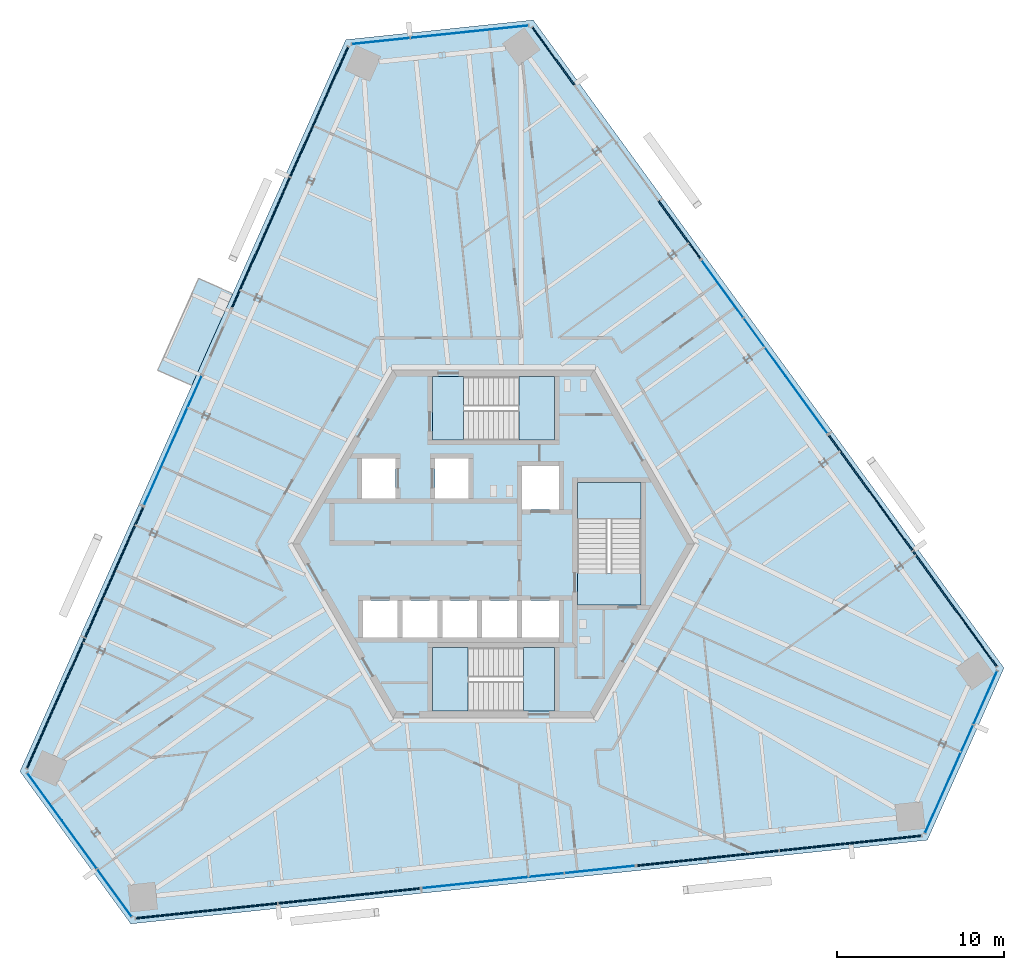
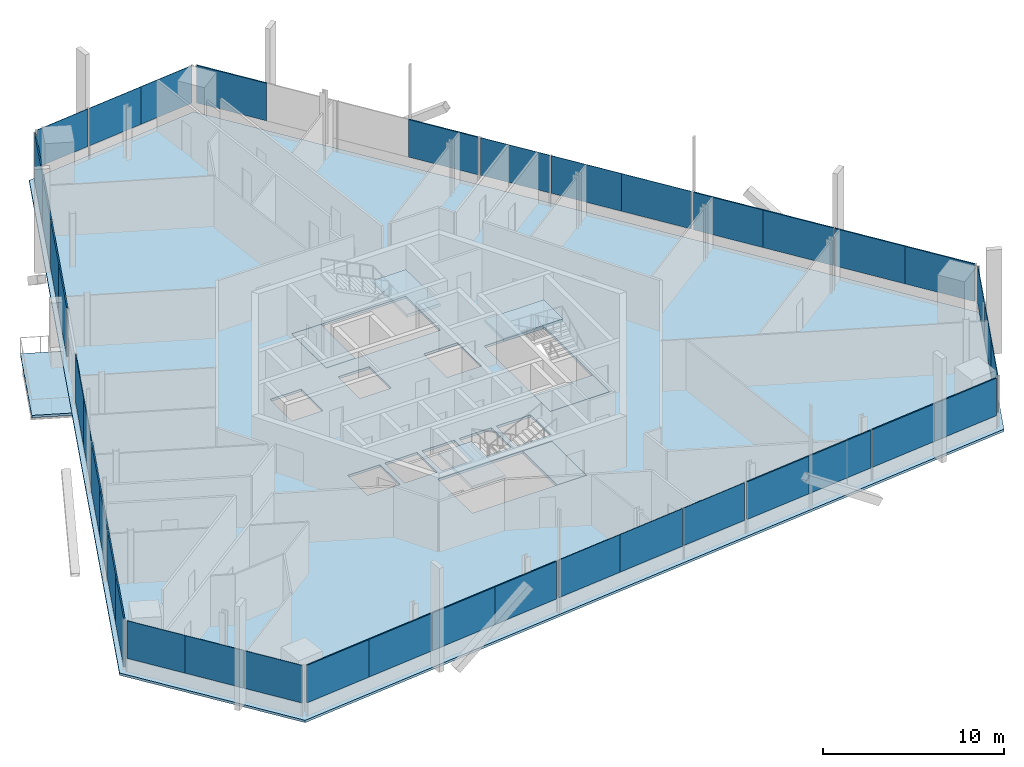
# One storey, part 9 of 20: 39 plates, 8 slabs, 15 elements without a shape of their own.
"""IFC4 building model written with IfcOpenShell, lengths in metres."""

from ifc_helpers import new_model, si_unit, direction, frame, origin, origin_2d, place, context, subcontext, project, spatial, polyline, rectangle, outline, extrude, source, transform, mapped, material, layer, layer_set, type_object, element, aggregate, save


model = new_model("IFC4")

# Units and contexts
model_context = context("Model", 3, precision=1e-05, world=origin(), true_north=direction((0.0, 1.0)))
body_context = subcontext(model_context, "Body", "Model", "MODEL_VIEW")
ifc_project = project(units=[si_unit("LENGTHUNIT", "METRE"), si_unit("AREAUNIT", "SQUARE_METRE"), si_unit("VOLUMEUNIT", "CUBIC_METRE"), si_unit("PLANEANGLEUNIT", "RADIAN"), si_unit("MASSUNIT", "GRAM", prefix="KILO")], contexts=[model_context])

# Site, building, storey
site_placement = place(None, origin())
site = spatial("IfcSite", under=ifc_project, at=site_placement, CompositionType="ELEMENT")
building_placement = place(site_placement, origin())
building = spatial("IfcBuilding", under=site, at=building_placement, Name="Triune Harvest Tower", CompositionType="ELEMENT")
storey_placement = place(building_placement, frame((0.0, 0.0, 226.89990234375)))
storey = spatial("IfcBuildingStorey", under=building, at=storey_placement, Name="L59", CompositionType="ELEMENT", Elevation=226.89990234375)

# Slabs
ifc_material_1 = material(Name="Concrete 40 MPa", Category="concrete")
ifc_layer_1 = layer(ifc_material_1, 0.159912109375)
ifc_layer_set_1 = layer_set([ifc_layer_1], Name="Concrete 40 MPa")
slab_type_1 = type_object("IfcSlabType", Name="BA-1 balcony slab 160", PredefinedType="FLOOR", material=ifc_layer_set_1)
slab_1_placement = place(storey_placement, frame((0.0, 0.0, -0.159912109375)))
element("IfcSlab", 1, at=slab_1_placement, inside=storey, type_object=slab_type_1, Name="Balcony slab B6-F3 L59.5", PredefinedType="FLOOR", context=body_context, shape_type="SweptSolid", body=[
    extrude(outline(polyline([(-15.572265625, 14.94189453125), (-18.0126953125, 9.460693359375), (-20.05419921875, 10.36962890625), (-17.613525390625, 15.850830078125), (-15.572265625, 14.94189453125)])), origin(), (0.0, 0.0, 1.0), 0.159912109375),
])
ifc_material_2 = material(Name="Concrete 40 MPa", Category="concrete")
ifc_layer_2 = layer(ifc_material_2, 0.159912109375)
ifc_layer_set_2 = layer_set([ifc_layer_2], Name="Concrete 40 MPa")
slab_type_2 = type_object("IfcSlabType", Name="SL-1 Composite floor slab 160", PredefinedType="FLOOR", material=ifc_layer_set_2)
shared_shape_1 = source(origin(), body_context, "Body", "SweptSolid", [
    extrude(outline(polyline([(30.481689453125, -7.412109375), (2.3701171875, 31.280517578125), (-8.82177734375, 30.10400390625), (-28.274658203125, -13.587646484375), (-21.659912109375, -22.69189453125), (25.904541015625, -17.692626953125), (30.481689453125, -7.412109375)]), holes=[polyline([(-5.72509765625, -5.590087890625), (-5.72509765625, -3.389892578125), (-7.800048828125, -3.389892578125), (-7.800048828125, -5.590087890625), (-5.72509765625, -5.590087890625)]), polyline([(-3.35009765625, -5.590087890625), (-3.35009765625, -3.389892578125), (-5.425048828125, -3.389892578125), (-5.425048828125, -5.590087890625), (-3.35009765625, -5.590087890625)]), polyline([(-0.97509765625, -5.590087890625), (-0.97509765625, -3.389892578125), (-3.050048828125, -3.389892578125), (-3.050048828125, -5.590087890625), (-0.97509765625, -5.590087890625)]), polyline([(1.39990234375, -5.590087890625), (1.39990234375, -3.389892578125), (-0.675048828125, -3.389892578125), (-0.675048828125, -5.590087890625), (1.39990234375, -5.590087890625)]), polyline([(3.89990234375, 2.06005859375), (3.89990234375, 4.659912109375), (1.699951171875, 4.659912109375), (1.699951171875, 2.06005859375), (3.89990234375, 2.06005859375)]), polyline([(3.89990234375, -5.590087890625), (3.89990234375, -3.389892578125), (1.699951171875, -3.389892578125), (1.699951171875, -5.590087890625), (3.89990234375, -5.590087890625)]), polyline([(-5.85009765625, 2.7099609375), (-5.85009765625, 5.110107421875), (-7.85009765625, 5.110107421875), (-7.85009765625, 2.7099609375), (-5.85009765625, 2.7099609375)]), polyline([(-1.5, 2.7099609375), (-1.5, 5.110107421875), (-3.5, 5.110107421875), (-3.5, 2.7099609375), (-1.5, 2.7099609375)]), polyline([(3.64990234375, 6.18994140625), (3.64990234375, 9.989990234375), (-3.64990234375, 9.989990234375), (-3.64990234375, 6.18994140625), (3.64990234375, 6.18994140625)]), polyline([(3.64990234375, -9.989990234375), (3.64990234375, -6.18994140625), (-3.64990234375, -6.18994140625), (-3.64990234375, -9.989990234375), (3.64990234375, -9.989990234375)]), polyline([(8.800048828125, -3.64990234375), (8.800048828125, 3.64990234375), (5.0, 3.64990234375), (5.0, -3.64990234375), (8.800048828125, -3.64990234375)])]), origin(), (0.0, 0.0, 1.0), 0.159912109375),
])
slab_2_placement = place(storey_placement, frame((0.0, 0.0, -0.159912109375)))
element("IfcSlab", 2, at=slab_2_placement, inside=storey, type_object=slab_type_2, Name="slab/L59/1", PredefinedType="FLOOR", context=body_context, shape_type="MappedRepresentation", body=[
    mapped(shared_shape_1, transform((0.0, 0.0, 0.0), scale=1.0)),
])

# Stair, slabs
ifc_material_3 = material(Name="Concrete 40 MPa", Category="concrete")
stair_type = type_object("IfcStairType", Name="Exit stair 1800 half turn", PredefinedType="HALF_TURN_STAIR", material=ifc_material_3)
stair_1_placement = place(storey_placement, origin())
stair_1 = element("IfcStair", 3, at=stair_1_placement, inside=storey, type_object=stair_type, Name="Exit stair north", PredefinedType="HALF_TURN_STAIR")
ifc_material_4 = material(Name="Concrete 40 MPa", Category="concrete")
ifc_layer_3 = layer(ifc_material_4, 0.199951171875)
ifc_layer_set_3 = layer_set([ifc_layer_3], Name="Concrete 40 MPa")
slab_type_3 = type_object("IfcSlabType", Name="Stair landing 200", PredefinedType="LANDING", material=ifc_layer_set_3)
shared_shape_2 = source(origin(), body_context, "Body", "SweptSolid", [
    extrude(outline(polyline([(1.510009765625, 6.18994140625), (3.64990234375, 6.18994140625), (3.64990234375, 9.989990234375), (1.510009765625, 9.989990234375), (1.510009765625, 6.18994140625)])), origin(), (0.0, 0.0, 1.0), 0.199951171875),
])
slab_3_placement = place(storey_placement, frame((0.0, 0.0, 1.60009765625)))
slab_3 = element("IfcSlab", 4, at=slab_3_placement, type_object=slab_type_3, Name="ST-1 landing 2", PredefinedType="LANDING", context=body_context, shape_type="MappedRepresentation", body=[
    mapped(shared_shape_2, transform((0.0, 0.0, 0.0), scale=1.0)),
])
shared_shape_3 = source(origin(), body_context, "Body", "SweptSolid", [
    extrude(outline(polyline([(-3.64990234375, 6.18994140625), (-1.780029296875, 6.18994140625), (-1.780029296875, 9.989990234375), (-3.64990234375, 9.989990234375), (-3.64990234375, 6.18994140625)])), origin(), (0.0, 0.0, 1.0), 0.199951171875),
])
slab_4_placement = place(storey_placement, frame((0.0, 0.0, -0.199951171875)))
slab_4 = element("IfcSlab", 5, at=slab_4_placement, type_object=slab_type_3, Name="ST-1 landing 1", PredefinedType="LANDING", context=body_context, shape_type="MappedRepresentation", body=[
    mapped(shared_shape_3, transform((0.0, 0.0, 0.0), scale=1.0)),
])
aggregate(stair_1, [slab_4, slab_3])

stair_2_placement = place(storey_placement, origin())
stair_2 = element("IfcStair", 6, at=stair_2_placement, inside=storey, type_object=stair_type, Name="Exit stair south", PredefinedType="HALF_TURN_STAIR")
shared_shape_4 = source(origin(), body_context, "Body", "SweptSolid", [
    extrude(outline(polyline([(-1.510009765625, -6.18994140625), (-3.64990234375, -6.18994140625), (-3.64990234375, -9.989990234375), (-1.510009765625, -9.989990234375), (-1.510009765625, -6.18994140625)])), origin(), (0.0, 0.0, 1.0), 0.199951171875),
])
slab_5_placement = place(storey_placement, frame((0.0, 0.0, 1.60009765625)))
slab_5 = element("IfcSlab", 7, at=slab_5_placement, type_object=slab_type_3, Name="ST-2 landing 2", PredefinedType="LANDING", context=body_context, shape_type="MappedRepresentation", body=[
    mapped(shared_shape_4, transform((0.0, 0.0, 0.0), scale=1.0)),
])
shared_shape_5 = source(origin(), body_context, "Body", "SweptSolid", [
    extrude(outline(polyline([(3.64990234375, -6.18994140625), (1.780029296875, -6.18994140625), (1.780029296875, -9.989990234375), (3.64990234375, -9.989990234375), (3.64990234375, -6.18994140625)])), origin(), (0.0, 0.0, 1.0), 0.199951171875),
])
slab_6_placement = place(storey_placement, frame((0.0, 0.0, -0.199951171875)))
slab_6 = element("IfcSlab", 8, at=slab_6_placement, type_object=slab_type_3, Name="ST-2 landing 1", PredefinedType="LANDING", context=body_context, shape_type="MappedRepresentation", body=[
    mapped(shared_shape_5, transform((0.0, 0.0, 0.0), scale=1.0)),
])
aggregate(stair_2, [slab_6, slab_5])

stair_3_placement = place(storey_placement, origin())
stair_3 = element("IfcStair", 9, at=stair_3_placement, inside=storey, type_object=stair_type, Name="Exit stair east", PredefinedType="HALF_TURN_STAIR")
shared_shape_6 = source(origin(), body_context, "Body", "SweptSolid", [
    extrude(outline(polyline([(8.800048828125, 1.510009765625), (8.800048828125, 3.64990234375), (5.0, 3.64990234375), (5.0, 1.510009765625), (8.800048828125, 1.510009765625)])), origin(), (0.0, 0.0, 1.0), 0.199951171875),
])
slab_7_placement = place(storey_placement, frame((0.0, 0.0, 1.60009765625)))
slab_7 = element("IfcSlab", 10, at=slab_7_placement, type_object=slab_type_3, Name="ST-3 landing 2", PredefinedType="LANDING", context=body_context, shape_type="MappedRepresentation", body=[
    mapped(shared_shape_6, transform((0.0, 0.0, 0.0), scale=1.0)),
])
shared_shape_7 = source(origin(), body_context, "Body", "SweptSolid", [
    extrude(outline(polyline([(8.800048828125, -3.64990234375), (8.800048828125, -1.780029296875), (5.0, -1.780029296875), (5.0, -3.64990234375), (8.800048828125, -3.64990234375)])), origin(), (0.0, 0.0, 1.0), 0.199951171875),
])
slab_8_placement = place(storey_placement, frame((0.0, 0.0, -0.199951171875)))
slab_8 = element("IfcSlab", 11, at=slab_8_placement, type_object=slab_type_3, Name="ST-3 landing 1", PredefinedType="LANDING", context=body_context, shape_type="MappedRepresentation", body=[
    mapped(shared_shape_7, transform((0.0, 0.0, 0.0), scale=1.0)),
])
aggregate(stair_3, [slab_8, slab_7])

# Curtain wall, plate
ifc_material_5 = material(Name="Aluminium bronze anodised", Category="aluminium")
curtain_wall_type_1 = type_object("IfcCurtainWallType", Name="CW-1 Tower stick curtain wall", PredefinedType="NOTDEFINED", material=ifc_material_5)
curtain_wall_1_placement = place(storey_placement, origin())
curtain_wall_1 = element("IfcCurtainWall", 12, at=curtain_wall_1_placement, inside=storey, type_object=curtain_wall_type_1, Name="CW-1 B6-F2 L59 run 1")
ifc_material_6 = material(Name="Glass", Category="glass")
ifc_layer_4 = layer(ifc_material_6, 0.031982421875)
ifc_layer_set_4 = layer_set([ifc_layer_4], Name="Glass")
plate_type_1 = type_object("IfcPlateType", Name="GL-1 panel 32", PredefinedType="CURTAIN_PANEL", material=ifc_layer_set_4)
shared_shape_8 = source(origin(), body_context, "Body", "SweptSolid", [
    extrude(rectangle(XDim=3.500732421875, YDim=0.031982421875, at=origin_2d()), origin(), (0.0, 0.0, 1.0), 2.5400390625),
])
plate_1_placement = place(storey_placement, frame((0.32421875, 30.763671875, 0.900146484375), z_axis=(0.0, 0.0, 1.0), x_axis=(-0.994521768229, -0.104529672907, 0.0)))
plate_1 = element("IfcPlate", 13, at=plate_1_placement, type_object=plate_type_1, Name="CW-1 panel B6-F2 1.1", PredefinedType="CURTAIN_PANEL", context=body_context, shape_type="MappedRepresentation", body=[
    mapped(shared_shape_8, transform((0.0, 0.0, 0.0), scale=1.0)),
])

curtain_wall_2_placement = place(storey_placement, origin())
curtain_wall_2 = element("IfcCurtainWall", 14, at=curtain_wall_2_placement, inside=storey, type_object=curtain_wall_type_1, Name="CW-1 B6-F4 L59 run 1")
plate_2_placement = place(storey_placement, frame((-26.80419921875, -15.10107421875, 0.900146484375), z_axis=(0.0, 0.0, 1.0), x_axis=(0.587788936013, -0.809014317982, 0.0)))
plate_2 = element("IfcPlate", 15, at=plate_2_placement, type_object=plate_type_1, Name="CW-1 panel B6-F4 1.1", PredefinedType="CURTAIN_PANEL", context=body_context, shape_type="MappedRepresentation", body=[
    mapped(shared_shape_8, transform((0.0, 0.0, 0.0), scale=1.0)),
])

curtain_wall_3_placement = place(storey_placement, origin())
curtain_wall_3 = element("IfcCurtainWall", 16, at=curtain_wall_3_placement, inside=storey, type_object=curtain_wall_type_1, Name="CW-1 B6-F6 L59 run 1")
plate_3_placement = place(storey_placement, frame((26.47998046875, -15.66259765625, 0.900146484375), z_axis=(0.0, 0.0, 1.0), x_axis=(0.406743216086, 0.913542531121, 0.0)))
plate_3 = element("IfcPlate", 17, at=plate_3_placement, type_object=plate_type_1, Name="CW-1 panel B6-F6 1.1", PredefinedType="CURTAIN_PANEL", context=body_context, shape_type="MappedRepresentation", body=[
    mapped(shared_shape_8, transform((0.0, 0.0, 0.0), scale=1.0)),
])

# Plate
shared_shape_9 = source(origin(), body_context, "Body", "SweptSolid", [
    extrude(rectangle(XDim=3.5380859375, YDim=0.031982421875, at=origin_2d()), origin(), (0.0, 0.0, 1.0), 2.5400390625),
])
plate_4_placement = place(storey_placement, frame((-3.17578125, 30.395751953125, 0.900146484375), z_axis=(0.0, 0.0, 1.0), x_axis=(-0.994521768229, -0.104529672907, 0.0)))
plate_4 = element("IfcPlate", 18, at=plate_4_placement, type_object=plate_type_1, Name="CW-1 panel B6-F2 1.2", PredefinedType="CURTAIN_PANEL", context=body_context, shape_type="MappedRepresentation", body=[
    mapped(shared_shape_9, transform((0.0, 0.0, 0.0), scale=1.0)),
])

plate_5_placement = place(storey_placement, frame((-24.735595703125, -17.9482421875, 0.900146484375), z_axis=(0.0, 0.0, 1.0), x_axis=(0.587788936013, -0.809014317982, 0.0)))
plate_5 = element("IfcPlate", 19, at=plate_5_placement, type_object=plate_type_1, Name="CW-1 panel B6-F4 1.2", PredefinedType="CURTAIN_PANEL", context=body_context, shape_type="MappedRepresentation", body=[
    mapped(shared_shape_9, transform((0.0, 0.0, 0.0), scale=1.0)),
])

plate_6_placement = place(storey_placement, frame((27.91162109375, -12.447509765625, 0.900146484375), z_axis=(0.0, 0.0, 1.0), x_axis=(0.406743216086, 0.913542531121, 0.0)))
plate_6 = element("IfcPlate", 20, at=plate_6_placement, type_object=plate_type_1, Name="CW-1 panel B6-F6 1.2", PredefinedType="CURTAIN_PANEL", context=body_context, shape_type="MappedRepresentation", body=[
    mapped(shared_shape_9, transform((0.0, 0.0, 0.0), scale=1.0)),
])

shared_shape_10 = source(origin(), body_context, "Body", "SweptSolid", [
    extrude(rectangle(XDim=3.463134765625, YDim=0.031982421875, at=origin_2d()), origin(), (0.0, 0.0, 1.0), 2.5400390625),
])
plate_7_placement = place(storey_placement, frame((-6.73193359375, 30.02197265625, 0.900146484375), z_axis=(0.0, 0.0, 1.0), x_axis=(-0.994521768229, -0.104529672907, 0.0)))
plate_7 = element("IfcPlate", 21, at=plate_7_placement, type_object=plate_type_1, Name="CW-1 panel B6-F2 1.3", PredefinedType="CURTAIN_PANEL", context=body_context, shape_type="MappedRepresentation", body=[
    mapped(shared_shape_10, transform((0.0, 0.0, 0.0), scale=1.0)),
])

aggregate(curtain_wall_1, [plate_1, plate_4, plate_7])

plate_8_placement = place(storey_placement, frame((-22.6337890625, -20.841064453125, 0.900146484375), z_axis=(0.0, 0.0, 1.0), x_axis=(0.587788936013, -0.809014317982, 0.0)))
plate_8 = element("IfcPlate", 22, at=plate_8_placement, type_object=plate_type_1, Name="CW-1 panel B6-F4 1.3", PredefinedType="CURTAIN_PANEL", context=body_context, shape_type="MappedRepresentation", body=[
    mapped(shared_shape_10, transform((0.0, 0.0, 0.0), scale=1.0)),
])

aggregate(curtain_wall_2, [plate_2, plate_5, plate_8])

plate_9_placement = place(storey_placement, frame((29.365966796875, -9.180908203125, 0.900146484375), z_axis=(0.0, 0.0, 1.0), x_axis=(0.406743216086, 0.913542531121, 0.0)))
plate_9 = element("IfcPlate", 23, at=plate_9_placement, type_object=plate_type_1, Name="CW-1 panel B6-F6 1.3", PredefinedType="CURTAIN_PANEL", context=body_context, shape_type="MappedRepresentation", body=[
    mapped(shared_shape_10, transform((0.0, 0.0, 0.0), scale=1.0)),
])

aggregate(curtain_wall_3, [plate_3, plate_6, plate_9])

# Curtain wall, plates
ifc_material_7 = material(Name="Aluminium bronze anodised", Category="aluminium")
curtain_wall_type_2 = type_object("IfcCurtainWallType", Name="CW-7 Tower stick curtain wall with insulated spandrel infill", PredefinedType="NOTDEFINED", material=ifc_material_7)
curtain_wall_4_placement = place(storey_placement, origin())
curtain_wall_4 = element("IfcCurtainWall", 24, at=curtain_wall_4_placement, inside=storey, type_object=curtain_wall_type_2, Name="CW-7 B6-F1 L59 run 1")
ifc_material_8 = material(Name="Insulated spandrel panel, bronze aluminium pan", Category="aluminium")
ifc_layer_5 = layer(ifc_material_8, 0.080078125)
ifc_layer_set_5 = layer_set([ifc_layer_5], Name="Insulated spandrel panel, bronze aluminium pan")
plate_type_2 = type_object("IfcPlateType", Name="SP-1 insulated spandrel panel 80", PredefinedType="CURTAIN_PANEL", material=ifc_layer_set_5)
shared_shape_11 = source(origin(), body_context, "Body", "SweptSolid", [
    extrude(rectangle(XDim=4.22509765625, YDim=0.080078125, at=origin_2d()), origin(), (0.0, 0.0, 1.0), 2.5400390625),
])
plate_10_placement = place(storey_placement, frame((28.798583984375, -5.60595703125, 0.900146484375), z_axis=(0.0, 0.0, 1.0), x_axis=(-0.587786129808, 0.809016356822, 0.0)))
plate_10 = element("IfcPlate", 25, at=plate_10_placement, type_object=plate_type_2, Name="CW-7 panel B6-F1 1.1", PredefinedType="CURTAIN_PANEL", context=body_context, shape_type="MappedRepresentation", body=[
    mapped(shared_shape_11, transform((0.0, 0.0, 0.0), scale=1.0)),
])
plate_11_placement = place(storey_placement, frame((21.26025390625, 4.769775390625, 0.900146484375), z_axis=(0.0, 0.0, 1.0), x_axis=(-0.587786129808, 0.809016356822, 0.0)))
plate_11 = element("IfcPlate", 26, at=plate_11_placement, type_object=plate_type_2, Name="CW-7 panel B6-F1 1.4", PredefinedType="CURTAIN_PANEL", context=body_context, shape_type="MappedRepresentation", body=[
    mapped(shared_shape_11, transform((0.0, 0.0, 0.0), scale=1.0)),
])

curtain_wall_5_placement = place(storey_placement, origin())
curtain_wall_5 = element("IfcCurtainWall", 27, at=curtain_wall_5_placement, inside=storey, type_object=curtain_wall_type_2, Name="CW-7 B6-F1 L59 run 2001")
plate_12_placement = place(storey_placement, frame((11.106201171875, 18.74560546875, 0.900146484375), z_axis=(0.0, 0.0, 1.0), x_axis=(-0.587786129808, 0.809016356822, 0.0)))
plate_12 = element("IfcPlate", 28, at=plate_12_placement, type_object=plate_type_2, Name="CW-7 panel B6-F1 2001.1", PredefinedType="CURTAIN_PANEL", context=body_context, shape_type="MappedRepresentation", body=[
    mapped(shared_shape_11, transform((0.0, 0.0, 0.0), scale=1.0)),
])
plate_13_placement = place(storey_placement, frame((3.56787109375, 29.121337890625, 0.900146484375), z_axis=(0.0, 0.0, 1.0), x_axis=(-0.587786129808, 0.809016356822, 0.0)))
plate_13 = element("IfcPlate", 29, at=plate_13_placement, type_object=plate_type_2, Name="CW-7 panel B6-F1 2001.4", PredefinedType="CURTAIN_PANEL", context=body_context, shape_type="MappedRepresentation", body=[
    mapped(shared_shape_11, transform((0.0, 0.0, 0.0), scale=1.0)),
])
aggregate(curtain_wall_5, [plate_12, plate_13])

curtain_wall_6_placement = place(storey_placement, origin())
curtain_wall_6 = element("IfcCurtainWall", 30, at=curtain_wall_6_placement, inside=storey, type_object=curtain_wall_type_2, Name="CW-7 B6-F5 L59 run 1")
plate_14_placement = place(storey_placement, frame((-19.254150390625, -22.137451171875, 0.900146484375), z_axis=(0.0, 0.0, 1.0), x_axis=(0.994521952755, 0.104527917264, 0.0)))
plate_14 = element("IfcPlate", 31, at=plate_14_placement, type_object=plate_type_2, Name="CW-7 panel B6-F5 1.1", PredefinedType="CURTAIN_PANEL", context=body_context, shape_type="MappedRepresentation", body=[
    mapped(shared_shape_11, transform((0.0, 0.0, 0.0), scale=1.0)),
])
plate_15_placement = place(storey_placement, frame((-6.499267578125, -20.796875, 0.900146484375), z_axis=(0.0, 0.0, 1.0), x_axis=(0.994521952755, 0.104527917264, 0.0)))
plate_15 = element("IfcPlate", 32, at=plate_15_placement, type_object=plate_type_2, Name="CW-7 panel B6-F5 1.4", PredefinedType="CURTAIN_PANEL", context=body_context, shape_type="MappedRepresentation", body=[
    mapped(shared_shape_11, transform((0.0, 0.0, 0.0), scale=1.0)),
])

curtain_wall_7_placement = place(storey_placement, origin())
curtain_wall_7 = element("IfcCurtainWall", 33, at=curtain_wall_7_placement, inside=storey, type_object=curtain_wall_type_2, Name="CW-7 B6-F5 L59 run 2001")
plate_16_placement = place(storey_placement, frame((10.68115234375, -18.990966796875, 0.900146484375), z_axis=(0.0, 0.0, 1.0), x_axis=(0.994521952755, 0.104527917264, 0.0)))
plate_16 = element("IfcPlate", 34, at=plate_16_placement, type_object=plate_type_2, Name="CW-7 panel B6-F5 2001.1", PredefinedType="CURTAIN_PANEL", context=body_context, shape_type="MappedRepresentation", body=[
    mapped(shared_shape_11, transform((0.0, 0.0, 0.0), scale=1.0)),
])
plate_17_placement = place(storey_placement, frame((23.43603515625, -17.650390625, 0.900146484375), z_axis=(0.0, 0.0, 1.0), x_axis=(0.994521952755, 0.104527917264, 0.0)))
plate_17 = element("IfcPlate", 35, at=plate_17_placement, type_object=plate_type_2, Name="CW-7 panel B6-F5 2001.4", PredefinedType="CURTAIN_PANEL", context=body_context, shape_type="MappedRepresentation", body=[
    mapped(shared_shape_11, transform((0.0, 0.0, 0.0), scale=1.0)),
])

# Plate
shared_shape_12 = source(origin(), body_context, "Body", "SweptSolid", [
    extrude(rectangle(XDim=4.262451171875, YDim=0.080078125, at=origin_2d()), origin(), (0.0, 0.0, 1.0), 2.5400390625),
])
plate_18_placement = place(storey_placement, frame((26.30419921875, -2.172607421875, 0.900146484375), z_axis=(0.0, 0.0, 1.0), x_axis=(-0.587786129808, 0.809016356822, 0.0)))
plate_18 = element("IfcPlate", 36, at=plate_18_placement, type_object=plate_type_2, Name="CW-7 panel B6-F1 1.2", PredefinedType="CURTAIN_PANEL", context=body_context, shape_type="MappedRepresentation", body=[
    mapped(shared_shape_12, transform((0.0, 0.0, 0.0), scale=1.0)),
])

plate_19_placement = place(storey_placement, frame((23.754638671875, 1.336669921875, 0.900146484375), z_axis=(0.0, 0.0, 1.0), x_axis=(-0.587786129808, 0.809016356822, 0.0)))
plate_19 = element("IfcPlate", 37, at=plate_19_placement, type_object=plate_type_2, Name="CW-7 panel B6-F1 1.3", PredefinedType="CURTAIN_PANEL", context=body_context, shape_type="MappedRepresentation", body=[
    mapped(shared_shape_12, transform((0.0, 0.0, 0.0), scale=1.0)),
])

aggregate(curtain_wall_4, [plate_10, plate_18, plate_19, plate_11])

plate_20_placement = place(storey_placement, frame((-15.033447265625, -21.69384765625, 0.900146484375), z_axis=(0.0, 0.0, 1.0), x_axis=(0.994521952755, 0.104527917264, 0.0)))
plate_20 = element("IfcPlate", 38, at=plate_20_placement, type_object=plate_type_2, Name="CW-7 panel B6-F5 1.2", PredefinedType="CURTAIN_PANEL", context=body_context, shape_type="MappedRepresentation", body=[
    mapped(shared_shape_12, transform((0.0, 0.0, 0.0), scale=1.0)),
])

plate_21_placement = place(storey_placement, frame((-10.7197265625, -21.240234375, 0.900146484375), z_axis=(0.0, 0.0, 1.0), x_axis=(0.994521952755, 0.104527917264, 0.0)))
plate_21 = element("IfcPlate", 39, at=plate_21_placement, type_object=plate_type_2, Name="CW-7 panel B6-F5 1.3", PredefinedType="CURTAIN_PANEL", context=body_context, shape_type="MappedRepresentation", body=[
    mapped(shared_shape_12, transform((0.0, 0.0, 0.0), scale=1.0)),
])

aggregate(curtain_wall_6, [plate_14, plate_20, plate_21, plate_15])

plate_22_placement = place(storey_placement, frame((14.901611328125, -18.54736328125, 0.900146484375), z_axis=(0.0, 0.0, 1.0), x_axis=(0.994521952755, 0.104527917264, 0.0)))
plate_22 = element("IfcPlate", 40, at=plate_22_placement, type_object=plate_type_2, Name="CW-7 panel B6-F5 2001.2", PredefinedType="CURTAIN_PANEL", context=body_context, shape_type="MappedRepresentation", body=[
    mapped(shared_shape_12, transform((0.0, 0.0, 0.0), scale=1.0)),
])

plate_23_placement = place(storey_placement, frame((19.21533203125, -18.093994140625, 0.900146484375), z_axis=(0.0, 0.0, 1.0), x_axis=(0.994521952755, 0.104527917264, 0.0)))
plate_23 = element("IfcPlate", 41, at=plate_23_placement, type_object=plate_type_2, Name="CW-7 panel B6-F5 2001.3", PredefinedType="CURTAIN_PANEL", context=body_context, shape_type="MappedRepresentation", body=[
    mapped(shared_shape_12, transform((0.0, 0.0, 0.0), scale=1.0)),
])

aggregate(curtain_wall_7, [plate_16, plate_22, plate_23, plate_17])

# Curtain wall, plate
curtain_wall_8_placement = place(storey_placement, origin())
curtain_wall_8 = element("IfcCurtainWall", 42, at=curtain_wall_8_placement, inside=storey, type_object=curtain_wall_type_1, Name="CW-1 B6-F1 L59 run 1001")
shared_shape_13 = source(origin(), body_context, "Body", "SweptSolid", [
    extrude(rectangle(XDim=4.22509765625, YDim=0.031982421875, at=origin_2d()), origin(), (0.0, 0.0, 1.0), 2.5400390625),
])
plate_24_placement = place(storey_placement, frame((18.688720703125, 8.309326171875, 0.900146484375), z_axis=(0.0, 0.0, 1.0), x_axis=(-0.587784451405, 0.809017576253, 0.0)))
plate_24 = element("IfcPlate", 43, at=plate_24_placement, type_object=plate_type_1, Name="CW-1 panel B6-F1 1001.1", PredefinedType="CURTAIN_PANEL", context=body_context, shape_type="MappedRepresentation", body=[
    mapped(shared_shape_13, transform((0.0, 0.0, 0.0), scale=1.0)),
])

curtain_wall_9_placement = place(storey_placement, origin())
curtain_wall_9 = element("IfcCurtainWall", 44, at=curtain_wall_9_placement, inside=storey, type_object=curtain_wall_type_1, Name="CW-1 B6-F5 L59 run 1001")
plate_25_placement = place(storey_placement, frame((-2.148193359375, -20.33935546875, 0.900146484375), z_axis=(0.0, 0.0, 1.0), x_axis=(0.994521200416, 0.104535075084, 0.0)))
plate_25 = element("IfcPlate", 45, at=plate_25_placement, type_object=plate_type_1, Name="CW-1 panel B6-F5 1001.1", PredefinedType="CURTAIN_PANEL", context=body_context, shape_type="MappedRepresentation", body=[
    mapped(shared_shape_13, transform((0.0, 0.0, 0.0), scale=1.0)),
])

# Plate
shared_shape_14 = source(origin(), body_context, "Body", "SweptSolid", [
    extrude(rectangle(XDim=4.262451171875, YDim=0.031982421875, at=origin_2d()), origin(), (0.0, 0.0, 1.0), 2.5400390625),
])
plate_26_placement = place(storey_placement, frame((16.1943359375, 11.74267578125, 0.900146484375), z_axis=(0.0, 0.0, 1.0), x_axis=(-0.587784451405, 0.809017576253, 0.0)))
plate_26 = element("IfcPlate", 46, at=plate_26_placement, type_object=plate_type_1, Name="CW-1 panel B6-F1 1001.2", PredefinedType="CURTAIN_PANEL", context=body_context, shape_type="MappedRepresentation", body=[
    mapped(shared_shape_14, transform((0.0, 0.0, 0.0), scale=1.0)),
])

plate_27_placement = place(storey_placement, frame((2.072265625, -19.895751953125, 0.900146484375), z_axis=(0.0, 0.0, 1.0), x_axis=(0.994521200416, 0.104535075084, 0.0)))
plate_27 = element("IfcPlate", 47, at=plate_27_placement, type_object=plate_type_1, Name="CW-1 panel B6-F5 1001.2", PredefinedType="CURTAIN_PANEL", context=body_context, shape_type="MappedRepresentation", body=[
    mapped(shared_shape_14, transform((0.0, 0.0, 0.0), scale=1.0)),
])

shared_shape_15 = source(origin(), body_context, "Body", "SweptSolid", [
    extrude(rectangle(XDim=4.1875, YDim=0.031982421875, at=origin_2d()), origin(), (0.0, 0.0, 1.0), 2.5400390625),
])
plate_28_placement = place(storey_placement, frame((13.666748046875, 15.221435546875, 0.900146484375), z_axis=(0.0, 0.0, 1.0), x_axis=(-0.587784451405, 0.809017576253, 0.0)))
plate_28 = element("IfcPlate", 48, at=plate_28_placement, type_object=plate_type_1, Name="CW-1 panel B6-F1 1001.3", PredefinedType="CURTAIN_PANEL", context=body_context, shape_type="MappedRepresentation", body=[
    mapped(shared_shape_15, transform((0.0, 0.0, 0.0), scale=1.0)),
])

aggregate(curtain_wall_8, [plate_24, plate_26, plate_28])

plate_29_placement = place(storey_placement, frame((6.3486328125, -19.4462890625, 0.900146484375), z_axis=(0.0, 0.0, 1.0), x_axis=(0.994521200416, 0.104535075084, 0.0)))
plate_29 = element("IfcPlate", 49, at=plate_29_placement, type_object=plate_type_1, Name="CW-1 panel B6-F5 1001.3", PredefinedType="CURTAIN_PANEL", context=body_context, shape_type="MappedRepresentation", body=[
    mapped(shared_shape_15, transform((0.0, 0.0, 0.0), scale=1.0)),
])

aggregate(curtain_wall_9, [plate_25, plate_27, plate_29])

# Curtain wall, plates
ifc_material_9 = material(Name="Aluminium bronze anodised", Category="aluminium")
curtain_wall_type_3 = type_object("IfcCurtainWallType", Name="CW-10 Balcony window wall with insulated spandrel infill", PredefinedType="NOTDEFINED", material=ifc_material_9)
curtain_wall_10_placement = place(storey_placement, origin())
curtain_wall_10 = element("IfcCurtainWall", 50, at=curtain_wall_10_placement, inside=storey, type_object=curtain_wall_type_3, Name="CW-10 B6-F3 L59 run 1")
shared_shape_16 = source(origin(), body_context, "Body", "SweptSolid", [
    extrude(rectangle(XDim=4.218994140625, YDim=0.080078125, at=origin_2d()), origin(), (0.0, 0.0, 1.0), 3.2900390625),
])
plate_30_placement = place(storey_placement, frame((-9.543212890625, 27.74609375, 0.150146484375), z_axis=(0.0, 0.0, 1.0), x_axis=(-0.406737912248, -0.91354489257, 0.0)))
plate_30 = element("IfcPlate", 51, at=plate_30_placement, type_object=plate_type_2, Name="CW-10 panel B6-F3 1.1", PredefinedType="CURTAIN_PANEL", context=body_context, shape_type="MappedRepresentation", body=[
    mapped(shared_shape_16, transform((0.0, 0.0, 0.0), scale=1.0)),
])
plate_31_placement = place(storey_placement, frame((-14.752197265625, 16.046630859375, 0.150146484375), z_axis=(0.0, 0.0, 1.0), x_axis=(-0.406737912248, -0.91354489257, 0.0)))
plate_31 = element("IfcPlate", 52, at=plate_31_placement, type_object=plate_type_2, Name="CW-10 panel B6-F3 1.4", PredefinedType="CURTAIN_PANEL", context=body_context, shape_type="MappedRepresentation", body=[
    mapped(shared_shape_16, transform((0.0, 0.0, 0.0), scale=1.0)),
])
shared_shape_17 = source(origin(), body_context, "Body", "SweptSolid", [
    extrude(rectangle(XDim=4.25634765625, YDim=0.080078125, at=origin_2d()), origin(), (0.0, 0.0, 1.0), 3.2900390625),
])
plate_32_placement = place(storey_placement, frame((-11.266845703125, 23.874755859375, 0.150146484375), z_axis=(0.0, 0.0, 1.0), x_axis=(-0.406737912248, -0.91354489257, 0.0)))
plate_32 = element("IfcPlate", 53, at=plate_32_placement, type_object=plate_type_2, Name="CW-10 panel B6-F3 1.2", PredefinedType="CURTAIN_PANEL", context=body_context, shape_type="MappedRepresentation", body=[
    mapped(shared_shape_17, transform((0.0, 0.0, 0.0), scale=1.0)),
])
plate_33_placement = place(storey_placement, frame((-13.028564453125, 19.917724609375, 0.150146484375), z_axis=(0.0, 0.0, 1.0), x_axis=(-0.406737912248, -0.91354489257, 0.0)))
plate_33 = element("IfcPlate", 54, at=plate_33_placement, type_object=plate_type_2, Name="CW-10 panel B6-F3 1.3", PredefinedType="CURTAIN_PANEL", context=body_context, shape_type="MappedRepresentation", body=[
    mapped(shared_shape_17, transform((0.0, 0.0, 0.0), scale=1.0)),
])
aggregate(curtain_wall_10, [plate_30, plate_32, plate_33, plate_31])

ifc_material_10 = material(Name="Aluminium bronze anodised", Category="aluminium")
curtain_wall_type_4 = type_object("IfcCurtainWallType", Name="CW-6 Balcony window wall", PredefinedType="NOTDEFINED", material=ifc_material_10)
curtain_wall_11_placement = place(storey_placement, origin())
curtain_wall_11 = element("IfcCurtainWall", 55, at=curtain_wall_11_placement, inside=storey, type_object=curtain_wall_type_4, Name="CW-6 B6-F3 L59 run 2")
ifc_material_11 = material(Name="Glass", Category="glass")
ifc_layer_6 = layer(ifc_material_11, 0.030029296875)
ifc_layer_set_6 = layer_set([ifc_layer_6], Name="Glass")
plate_type_3 = type_object("IfcPlateType", Name="GL-6 panel 30", PredefinedType="CURTAIN_PANEL", material=ifc_layer_set_6)
shared_shape_18 = source(origin(), body_context, "Body", "SweptSolid", [
    extrude(rectangle(XDim=4.226318359375, YDim=0.030029296875, at=origin_2d()), origin(), (0.0, 0.0, 1.0), 3.2900390625),
])
plate_34_placement = place(storey_placement, frame((-18.286376953125, 8.108642578125, 0.150146484375), z_axis=(0.0, 0.0, 1.0), x_axis=(-0.406740684413, -0.913543658313, 0.0)))
plate_34 = element("IfcPlate", 56, at=plate_34_placement, type_object=plate_type_3, Name="CW-6 panel B6-F3 2.1", PredefinedType="CURTAIN_PANEL", context=body_context, shape_type="MappedRepresentation", body=[
    mapped(shared_shape_18, transform((0.0, 0.0, 0.0), scale=1.0)),
])
plate_35_placement = place(storey_placement, frame((-20.00537109375, 4.247802734375, 0.150146484375), z_axis=(0.0, 0.0, 1.0), x_axis=(-0.406740684413, -0.913543658313, 0.0)))
plate_35 = element("IfcPlate", 57, at=plate_35_placement, type_object=plate_type_3, Name="CW-6 panel B6-F3 2.2", PredefinedType="CURTAIN_PANEL", context=body_context, shape_type="MappedRepresentation", body=[
    mapped(shared_shape_18, transform((0.0, 0.0, 0.0), scale=1.0)),
])
aggregate(curtain_wall_11, [plate_34, plate_35])

curtain_wall_12_placement = place(storey_placement, origin())
curtain_wall_12 = element("IfcCurtainWall", 58, at=curtain_wall_12_placement, inside=storey, type_object=curtain_wall_type_3, Name="CW-10 B6-F3 L59 run 1002")
shared_shape_19 = source(origin(), body_context, "Body", "SweptSolid", [
    extrude(rectangle(XDim=4.226318359375, YDim=0.080078125, at=origin_2d()), origin(), (0.0, 0.0, 1.0), 3.2900390625),
])
plate_36_placement = place(storey_placement, frame((-21.785400390625, 0.249755859375, 0.150146484375), z_axis=(0.0, 0.0, 1.0), x_axis=(-0.406736526156, -0.913545509699, 0.0)))
plate_36 = element("IfcPlate", 59, at=plate_36_placement, type_object=plate_type_2, Name="CW-10 panel B6-F3 1002.1", PredefinedType="CURTAIN_PANEL", context=body_context, shape_type="MappedRepresentation", body=[
    mapped(shared_shape_19, transform((0.0, 0.0, 0.0), scale=1.0)),
])
plate_37_placement = place(storey_placement, frame((-27.00341796875, -11.47021484375, 0.150146484375), z_axis=(0.0, 0.0, 1.0), x_axis=(-0.406736526156, -0.913545509699, 0.0)))
plate_37 = element("IfcPlate", 60, at=plate_37_placement, type_object=plate_type_2, Name="CW-10 panel B6-F3 1002.4", PredefinedType="CURTAIN_PANEL", context=body_context, shape_type="MappedRepresentation", body=[
    mapped(shared_shape_19, transform((0.0, 0.0, 0.0), scale=1.0)),
])
shared_shape_20 = source(origin(), body_context, "Body", "SweptSolid", [
    extrude(rectangle(XDim=4.263916015625, YDim=0.080078125, at=origin_2d()), origin(), (0.0, 0.0, 1.0), 3.2900390625),
])
plate_38_placement = place(storey_placement, frame((-23.511962890625, -3.62841796875, 0.150146484375), z_axis=(0.0, 0.0, 1.0), x_axis=(-0.406736526156, -0.913545509699, 0.0)))
plate_38 = element("IfcPlate", 61, at=plate_38_placement, type_object=plate_type_2, Name="CW-10 panel B6-F3 1002.2", PredefinedType="CURTAIN_PANEL", context=body_context, shape_type="MappedRepresentation", body=[
    mapped(shared_shape_20, transform((0.0, 0.0, 0.0), scale=1.0)),
])
plate_39_placement = place(storey_placement, frame((-25.27685546875, -7.59228515625, 0.150146484375), z_axis=(0.0, 0.0, 1.0), x_axis=(-0.406736526156, -0.913545509699, 0.0)))
plate_39 = element("IfcPlate", 62, at=plate_39_placement, type_object=plate_type_2, Name="CW-10 panel B6-F3 1002.3", PredefinedType="CURTAIN_PANEL", context=body_context, shape_type="MappedRepresentation", body=[
    mapped(shared_shape_20, transform((0.0, 0.0, 0.0), scale=1.0)),
])
aggregate(curtain_wall_12, [plate_36, plate_38, plate_39, plate_37])

save(model, "model.ifc")
